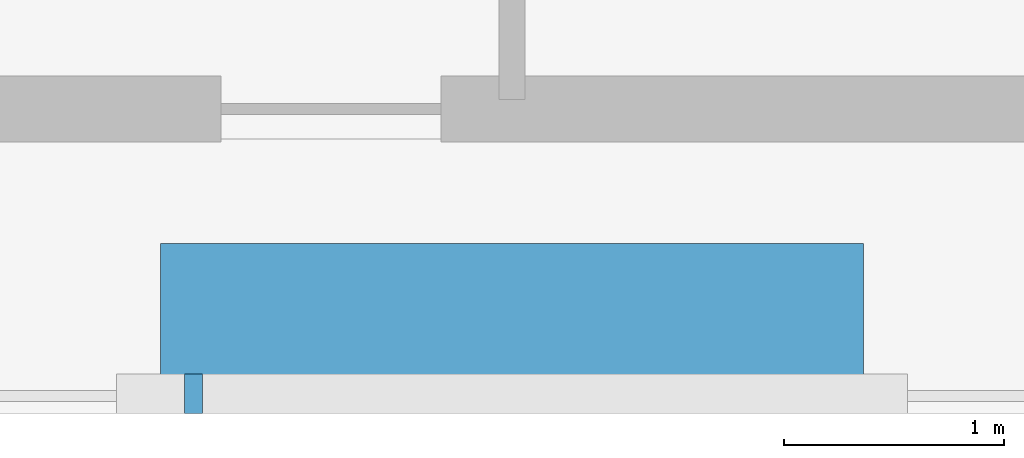
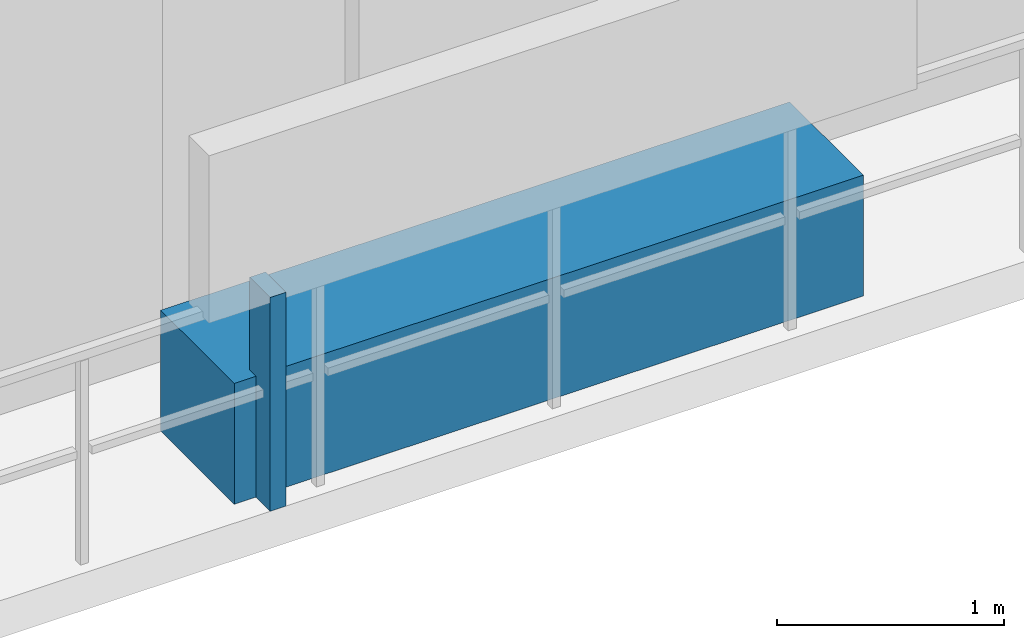
# One storey, part 29 of 33: 2 discrete accessories.
"""IFC4 building model written with IfcOpenShell, lengths in metres."""

from ifc_helpers import new_model, si_unit, direction, frame, origin, origin_2d, place, context, subcontext, project, spatial, rectangle, extrude, material, type_object, element, save


model = new_model("IFC4")

# Units and contexts
model_context = context("Model", 3, precision=1e-05, world=origin(), true_north=direction((0.0, 1.0)))
body_context = subcontext(model_context, "Body", "Model", "MODEL_VIEW")
ifc_project = project(units=[si_unit("LENGTHUNIT", "METRE"), si_unit("AREAUNIT", "SQUARE_METRE"), si_unit("VOLUMEUNIT", "CUBIC_METRE"), si_unit("PLANEANGLEUNIT", "RADIAN"), si_unit("MASSUNIT", "GRAM", prefix="KILO")], contexts=[model_context])

# Site, building, storey
site_placement = place(None, origin())
site = spatial("IfcSite", under=ifc_project, at=site_placement, CompositionType="ELEMENT")
building_placement = place(site_placement, origin())
building = spatial("IfcBuilding", under=site, at=building_placement, Name="Thornwick Lancets Civic Towers", CompositionType="ELEMENT")
storey_placement = place(building_placement, frame((0.0, 0.0, 108.89990234375)))
storey = spatial("IfcBuildingStorey", under=building, at=storey_placement, Name="L28", CompositionType="ELEMENT", Elevation=108.89990234375)

# Discrete accessories
ifc_material_1 = material(Name="Planted terracotta greenery planter", Category="masonry")
discrete_accessory_type_1 = type_object("IfcDiscreteAccessoryType", Name="ACC_PLANTER_BOX", PredefinedType="USERDEFINED", material=ifc_material_1)
discrete_accessory_1_placement = place(storey_placement, frame((88.5, 2.10009765625, 0.000244140625), z_axis=(0.0, 0.0, 1.0), x_axis=(1.0, 0.0, 0.0)))
element("IfcDiscreteAccessory", 1, at=discrete_accessory_1_placement, inside=storey, type_object=discrete_accessory_type_1, Name="L28 Tower B Balcony Greenery Planter S", ObjectType="PLANTER", PredefinedType="USERDEFINED", context=body_context, shape_type="SweptSolid", body=[
    extrude(rectangle(XDim=3.199951171875, YDim=0.64990234375, at=origin_2d()), origin(), (0.0, 0.0, 1.0), 0.64990234375),
])
ifc_material_2 = material(Name="Stainless steel S355", Category="steel")
discrete_accessory_type_2 = type_object("IfcDiscreteAccessoryType", Name="ACC_SCREEN_BRACKET", PredefinedType="BRACKET", material=ifc_material_2)
discrete_accessory_2_placement = place(storey_placement, frame((87.050048828125, 1.739990234375, 0.000244140625), z_axis=(0.0, 0.0, 1.0), x_axis=(1.0, 0.0, 0.0)))
element("IfcDiscreteAccessory", 2, at=discrete_accessory_2_placement, inside=storey, type_object=discrete_accessory_type_2, Name="L28 Tower B Balcony Screen Stanchion Bracket S-1", PredefinedType="BRACKET", context=body_context, shape_type="SweptSolid", body=[
    extrude(rectangle(XDim=0.080078125, YDim=0.179931640625, at=origin_2d()), origin(), (0.0, 0.0, 1.0), 1.14990234375),
])

save(model, "model.ifc")
